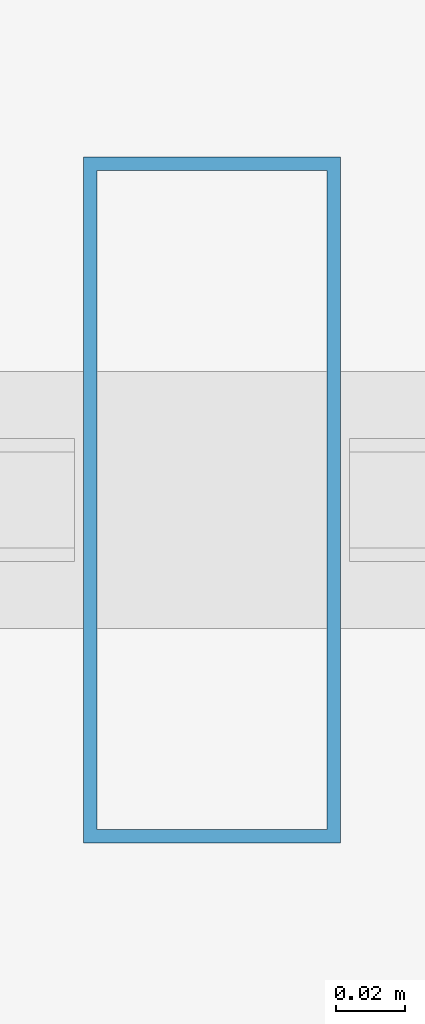
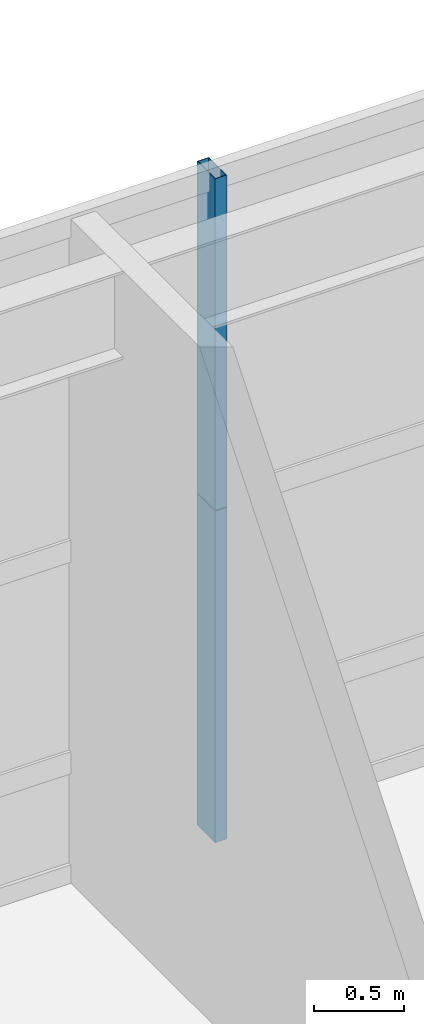
# One storey, part 25 of 39: 2 members, 1 element without a shape of its own.
"""IFC4 building model written with IfcOpenShell, lengths in metres."""

from ifc_helpers import new_model, si_unit, direction, frame, origin, origin_2d, place, context, subcontext, project, spatial, hollow_rectangle, extrude, source, transform, mapped, material, layer, layer_set, material_profile, profile_set, type_object, element, aggregate, save


model = new_model("IFC4")

# Units and contexts
model_context = context("Model", 3, precision=1e-05, world=origin(), true_north=direction((0.0, 1.0)))
body_context = subcontext(model_context, "Body", "Model", "MODEL_VIEW")
ifc_project = project(units=[si_unit("LENGTHUNIT", "METRE"), si_unit("AREAUNIT", "SQUARE_METRE"), si_unit("VOLUMEUNIT", "CUBIC_METRE"), si_unit("PLANEANGLEUNIT", "RADIAN"), si_unit("MASSUNIT", "GRAM", prefix="KILO"), si_unit("THERMODYNAMICTEMPERATUREUNIT", "KELVIN"), si_unit("POWERUNIT", "WATT")], contexts=[model_context])

# Site, building, storey
site_placement = place(None, origin())
site = spatial("IfcSite", under=ifc_project, at=site_placement, CompositionType="ELEMENT")
building_placement = place(site_placement, origin())
building = spatial("IfcBuilding", under=site, at=building_placement, Name="Yuzanri Waterfront Tower", CompositionType="ELEMENT")
storey_placement = place(building_placement, frame((0.0, 0.0, 15.0)))
storey = spatial("IfcBuildingStorey", under=building, at=storey_placement, Name="L04", CompositionType="ELEMENT", Elevation=15.0)

# Curtain wall, members
ifc_material_1 = material(Name="Anodized Architectural Bronze", Category="metal")
ifc_layer = layer(ifc_material_1, 0.159912109375)
ifc_layer_set = layer_set([ifc_layer], Name="Anodized Architectural Bronze")
curtain_wall_type = type_object("IfcCurtainWallType", Name="Anodized Bronze Podium Waterfront Double-Height Unitized Curtain Wall 8400", PredefinedType="NOTDEFINED", material=ifc_layer_set)
curtain_wall_placement = place(storey_placement, origin())
curtain_wall = element("IfcCurtainWall", 1, at=curtain_wall_placement, inside=storey, type_object=curtain_wall_type, Name="L04 Curtain Wall CW-L04-N2", PredefinedType="NOTDEFINED")
ifc_material_2 = material(Name="Anodized Architectural Bronze", Category="metal")
ifc_material_profile = material_profile(ifc_material_2, hollow_rectangle(XDim=0.074951171875, YDim=0.199951171875, WallThickness=0.00390625, at=origin_2d()), Name="CWM 75x200")
ifc_profile_set = profile_set([ifc_material_profile], Name="Anodized Architectural Bronze")
member_type = type_object("IfcMemberType", Name="Anodized Bronze Primary Curtain-Wall Mullion 75x200", PredefinedType="MULLION", material=ifc_profile_set)
shared_shape = source(origin(), body_context, "Body", "SweptSolid", [
    extrude(hollow_rectangle(XDim=0.074951171875, YDim=0.199951171875, WallThickness=0.00390625, at=origin_2d()), origin(), (0.0, 0.0, 1.0), 2.258056640625),
])
member_1_placement = place(storey_placement, frame((47.75, 49.6201171875, 0.0), z_axis=(0.0, 0.0, 1.0), x_axis=(1.0, 0.0, 0.0)))
member_1 = element("IfcMember", 2, at=member_1_placement, type_object=member_type, Name="CW-L04-N2 Lower Mullion 01", PredefinedType="MULLION", context=body_context, shape_type="MappedRepresentation", body=[
    mapped(shared_shape, transform((0.0, 0.0, 0.0), scale=1.0)),
])
member_2_placement = place(storey_placement, frame((47.75, 49.6201171875, 2.261962890625), z_axis=(0.0, 0.0, 1.0), x_axis=(1.0, 0.0, 0.0)))
member_2 = element("IfcMember", 3, at=member_2_placement, type_object=member_type, Name="CW-L04-N2 Upper Mullion 01", PredefinedType="MULLION", context=body_context, shape_type="MappedRepresentation", body=[
    mapped(shared_shape, transform((0.0, 0.0, 0.0), scale=1.0)),
])
aggregate(curtain_wall, [member_1, member_2])

save(model, "model.ifc")
